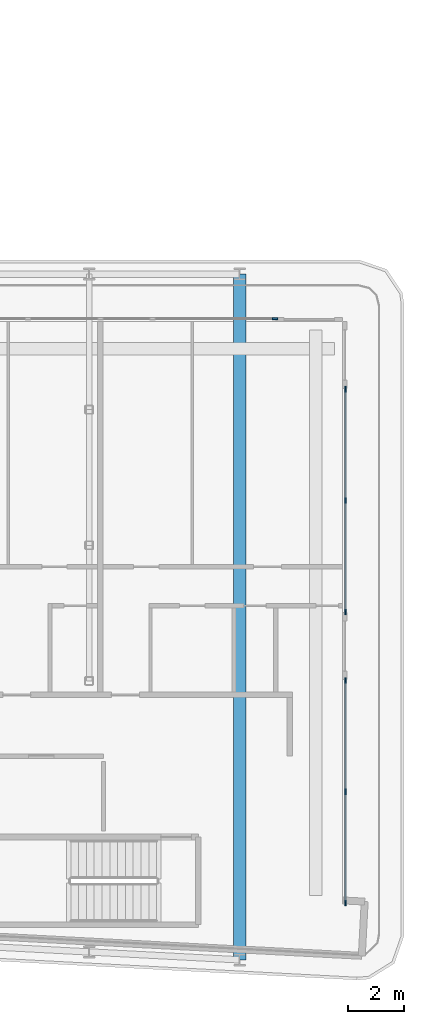
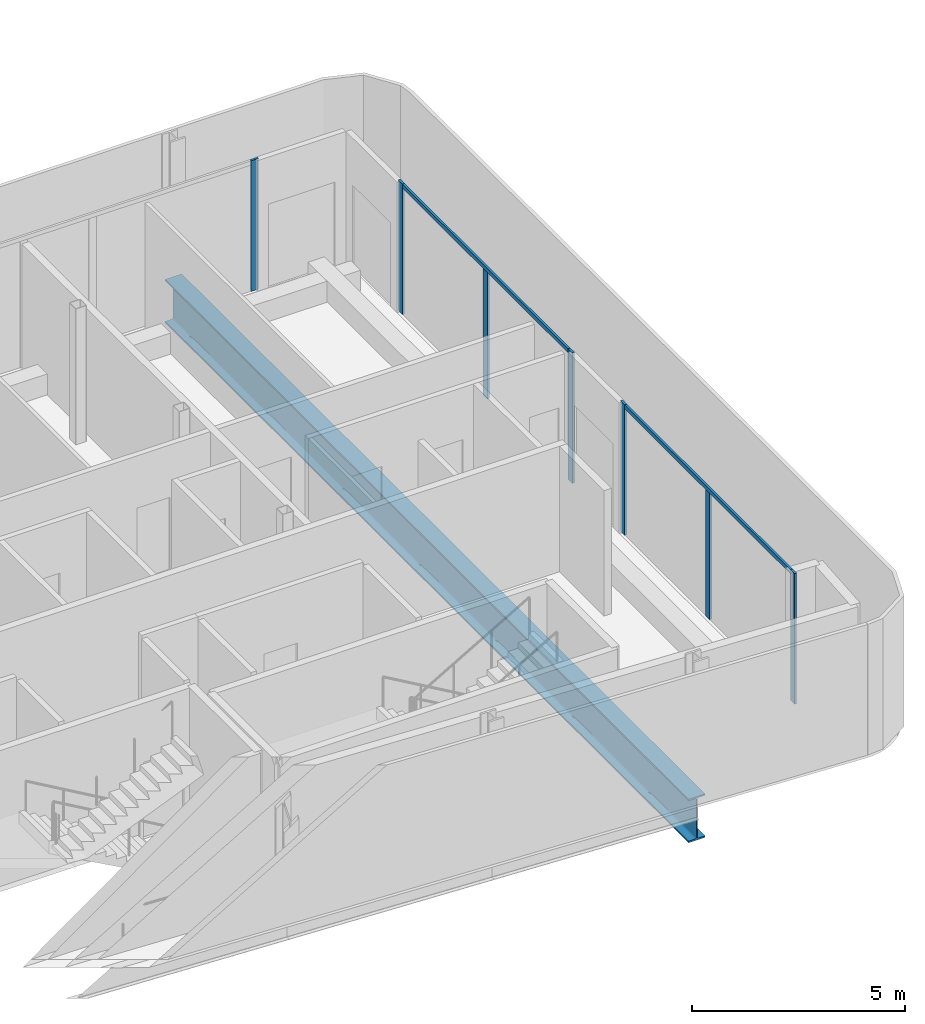
# One storey, part 10 of 29: 9 members, 1 beam, 3 elements without a shape of their own.
"""IFC4 building model written with IfcOpenShell, lengths in metres."""

import ifcopenshell
import ifcopenshell.guid

model = None  # the IFC model being written
_history = None  # IfcOwnerHistory: only IFC2X3 demands one
_inside = {}  # id of a spatial element -> (the spatial element, [elements in it])
_under = {}  # id of a project, library or spatial element -> (it, [spatial elements below it])
_declared = {}  # id of a project -> (the project, [libraries it declares])
_typed = {}  # id of a type object -> (the type object, [elements of that type])
_made_of = {}  # id of a material, layer set ... -> (it, [elements and type objects made of it])


def new_model(schema):
    """Start an empty IFC model of exactly this schema.

    Asked for "IFC4X3", IfcOpenShell would pick the latest addendum, in which some entities
    have other attributes; the version numbers below select the first issue.
    IFC2X3 requires an IfcOwnerHistory on every rooted entity: one is made here for all.
    """
    global model, _history
    if schema == "IFC4X3":
        model = ifcopenshell.file(schema_version=(4, 3, 0, 0))
    else:
        model = ifcopenshell.file(schema=schema)
    _inside.clear()
    _under.clear()
    _declared.clear()
    _typed.clear()
    _made_of.clear()
    _history = None
    if model.schema == "IFC2X3":
        org = make("IfcOrganization", Name="unknown")
        user = make(
            "IfcPersonAndOrganization",
            ThePerson=make("IfcPerson", FamilyName="unknown"),
            TheOrganization=org,
        )
        app = make(
            "IfcApplication",
            ApplicationDeveloper=org,
            Version="unknown",
            ApplicationFullName="unknown",
            ApplicationIdentifier="unknown",
        )
        _history = make(
            "IfcOwnerHistory",
            OwningUser=user,
            OwningApplication=app,
            ChangeAction="ADDED",
            CreationDate=0,
        )
    return model


def make(cls, **values):
    """One entity of the class cls with the attributes given. An attribute that is None is left unset."""
    return model.create_entity(
        cls, **{name: value for name, value in values.items() if value is not None}
    )


def rooted(cls, **values):
    """An entity with a GlobalId (a new one), such as an element, a storey or a relation."""
    return make(cls, GlobalId=ifcopenshell.guid.new(), OwnerHistory=_history, **values)


def si_unit(unit_type, name, prefix=None):
    """IfcSIUnit, for example si_unit("LENGTHUNIT", "METRE", prefix="MILLI")."""
    return make("IfcSIUnit", UnitType=unit_type, Prefix=prefix, Name=name)


def assignment(units):
    """IfcUnitAssignment: the units of a project."""
    return None if units is None else make("IfcUnitAssignment", Units=units)


def point(xyz):
    """IfcCartesianPoint."""
    return None if xyz is None else make("IfcCartesianPoint", Coordinates=xyz)


def direction(xyz):
    """IfcDirection."""
    return None if xyz is None else make("IfcDirection", DirectionRatios=xyz)


def frame(location, z_axis=None, x_axis=None):
    """IfcAxis2Placement3D, a coordinate frame: its origin and axes. An axis left out is left unset."""
    return make(
        "IfcAxis2Placement3D",
        Location=point(location),
        Axis=direction(z_axis),
        RefDirection=direction(x_axis),
    )


def frame_2d(location, x_axis=None):
    """IfcAxis2Placement2D, a coordinate frame in the plane: its origin and x axis."""
    return make(
        "IfcAxis2Placement2D", Location=point(location), RefDirection=direction(x_axis)
    )


def origin():
    """The frame at (0, 0, 0) with its axes left unset."""
    return frame((0.0, 0.0, 0.0))


def origin_2d():
    """The frame at (0, 0) in the plane with its x axis left unset."""
    return frame_2d((0.0, 0.0))


def place(relative_to, where):
    """IfcLocalPlacement: puts the frame where relative to a parent placement (None: the world)."""
    return make(
        "IfcLocalPlacement", PlacementRelTo=relative_to, RelativePlacement=where
    )


def context(
    kind, dimensions, precision=None, world=None, true_north=None, identifier=None
):
    """IfcGeometricRepresentationContext, for example the 3D "Model" context."""
    return make(
        "IfcGeometricRepresentationContext",
        ContextIdentifier=identifier,
        ContextType=kind,
        CoordinateSpaceDimension=dimensions,
        Precision=precision,
        WorldCoordinateSystem=world,
        TrueNorth=true_north,
    )


def subcontext(parent, identifier, kind, view, scale=None):
    """IfcGeometricRepresentationSubContext, for example "Body" below "Model"."""
    return make(
        "IfcGeometricRepresentationSubContext",
        ContextIdentifier=identifier,
        ContextType=kind,
        ParentContext=parent,
        TargetScale=scale,
        TargetView=view,
    )


def project(units=None, contexts=None):
    """IfcProject with its units and contexts."""
    return rooted(
        "IfcProject",
        Name="project",
        RepresentationContexts=contexts,
        UnitsInContext=assignment(units),
    )


def spatial(cls, under=None, at=None, **own):
    """A site, building, storey or space (cls), placed at a placement, below another one or the project."""
    s = rooted(cls, ObjectPlacement=at, **own)
    if under is not None:
        _under.setdefault(under.id(), (under, []))[1].append(s)
    return s


def profile(cls, at=None, kind="AREA", **sizes):
    """A parametric profile (cls). Its sizes go by their IFC names, for example OverallWidth=200.0."""
    return make(cls, ProfileType=kind, Position=at, **sizes)


def rectangle(**sizes):
    """IfcRectangleProfileDef."""
    return profile("IfcRectangleProfileDef", **sizes)


def i_section(**sizes):
    """IfcIShapeProfileDef."""
    return profile("IfcIShapeProfileDef", **sizes)


def extrude(swept, where, along, depth):
    """IfcExtrudedAreaSolid: the profile swept, set in the frame where, extruded along a direction by depth."""
    return make(
        "IfcExtrudedAreaSolid",
        SweptArea=swept,
        Position=where,
        ExtrudedDirection=direction(along),
        Depth=depth,
    )


def shape(context_of_items, identifier, shape_type, items):
    """IfcShapeRepresentation: the items that make up one representation, for example the "Body"."""
    return make(
        "IfcShapeRepresentation",
        ContextOfItems=context_of_items,
        RepresentationIdentifier=identifier,
        RepresentationType=shape_type,
        Items=items,
    )


def material(Name=None, Category=None):
    """IfcMaterial."""
    return make("IfcMaterial", Name=Name, Category=Category)


def layer(
    of_material, thickness, ventilated=None, Name=None, Category=None, Priority=None
):
    """IfcMaterialLayer: one layer of a wall or slab, of a material (None: an air gap)."""
    return make(
        "IfcMaterialLayer",
        Material=of_material,
        LayerThickness=thickness,
        IsVentilated=ventilated,
        Name=Name,
        Category=Category,
        Priority=Priority,
    )


def layer_set(layers, Name=None):
    """IfcMaterialLayerSet."""
    return make("IfcMaterialLayerSet", MaterialLayers=layers, LayerSetName=Name)


def material_profile(
    of_material, cross_section, Name=None, Category=None, Priority=None
):
    """IfcMaterialProfile: a cross section and its material."""
    return make(
        "IfcMaterialProfile",
        Name=Name,
        Material=of_material,
        Profile=cross_section,
        Priority=Priority,
        Category=Category,
    )


def profile_set(profiles, Name=None, composite=None):
    """IfcMaterialProfileSet."""
    return make(
        "IfcMaterialProfileSet",
        Name=Name,
        MaterialProfiles=profiles,
        CompositeProfile=composite,
    )


def made_of(thing, what):
    """Note that an element or type object is made of a material, layer set ...; save() writes the relation."""
    if what is not None:
        _made_of.setdefault(what.id(), (what, []))[1].append(thing)
    return thing


def type_object(cls, material=None, **own):
    """A type object (cls), such as IfcWallType, which elements share."""
    return made_of(rooted(cls, **own), material)


def element(
    cls,
    number,
    at=None,
    inside=None,
    cuts=None,
    type_object=None,
    material=None,
    context=None,
    identifier="Body",
    shape_type=None,
    held_by="IfcProductDefinitionShape",
    body=None,
    shapes=None,
    **own,
):
    """One element of the class cls, such as IfcWall. Its Tag is "e" and its number.

    at: its placement. inside: the storey or other place that contains it. cuts: it is an
    opening in that element (IfcRelVoidsElement). A single representation is given by context,
    identifier, shape_type and body (its items); several are given by shapes. held_by: the class
    of the entity that holds the representations. save() writes the other relations.
    """
    e = rooted(cls, Tag="e%d" % number, ObjectPlacement=at, **own)
    if body is not None:
        shapes = [shape(context, identifier, shape_type, body)]
    if shapes is not None:
        e.Representation = make(held_by, Representations=shapes)
    if inside is not None:
        _inside.setdefault(inside.id(), (inside, []))[1].append(e)
    if cuts is not None:
        rooted(
            "IfcRelVoidsElement", RelatingBuildingElement=cuts, RelatedOpeningElement=e
        )
    if type_object is not None:
        _typed.setdefault(type_object.id(), (type_object, []))[1].append(e)
    return made_of(e, material)


def aggregate(whole, parts):
    """IfcRelAggregates: a whole, such as a stair, and the parts it consists of."""
    return rooted("IfcRelAggregates", RelatingObject=whole, RelatedObjects=parts)


def save(model, path):
    """Write the relations noted so far, then the file.

    IfcRelAggregates (storeys below a building ...), IfcRelContainedInSpatialStructure (elements
    in a storey), IfcRelDefinesByType, IfcRelAssociatesMaterial and IfcRelDeclares: one each for
    every whole, place, type object, material and project.
    """
    for whole, parts in _under.values():
        aggregate(whole, parts)
    for where, things in _inside.values():
        rooted(
            "IfcRelContainedInSpatialStructure",
            RelatedElements=things,
            RelatingStructure=where,
        )
    for kind, things in _typed.values():
        rooted("IfcRelDefinesByType", RelatedObjects=things, RelatingType=kind)
    for what, things in _made_of.values():
        rooted("IfcRelAssociatesMaterial", RelatedObjects=things, RelatingMaterial=what)
    for by, libraries in _declared.values():
        rooted("IfcRelDeclares", RelatingContext=by, RelatedDefinitions=libraries)
    model.write(path)


model = new_model("IFC4")

# Units and contexts
model_context = context("Model", 3, precision=1e-05, world=origin(), true_north=direction((0.0, 1.0)))
body_context = subcontext(model_context, "Body", "Model", "MODEL_VIEW")
ifc_project = project(units=[si_unit("LENGTHUNIT", "METRE"), si_unit("AREAUNIT", "SQUARE_METRE"), si_unit("VOLUMEUNIT", "CUBIC_METRE"), si_unit("PLANEANGLEUNIT", "RADIAN"), si_unit("MASSUNIT", "GRAM", prefix="KILO")], contexts=[model_context])

# Site, building, storey
site_placement = place(None, origin())
site = spatial("IfcSite", under=ifc_project, at=site_placement, CompositionType="ELEMENT")
building_placement = place(site_placement, origin())
building = spatial("IfcBuilding", under=site, at=building_placement, Name="Kheshtan School and Residences Tower", CompositionType="ELEMENT")
storey_placement = place(building_placement, frame((0.0, 0.0, 172.10009765625)))
storey = spatial("IfcBuildingStorey", under=building, at=storey_placement, Name="L40", CompositionType="ELEMENT", Elevation=172.10009765625)

# Curtain wall, member
ifc_material_1 = material(Name="Clear low-e glass in thermally broken aluminium frame", Category="aluminium")
ifc_layer = layer(ifc_material_1, 0.199951171875)
ifc_layer_set = layer_set([ifc_layer], Name="Curtain wall CW-L")
curtain_wall_type = type_object("IfcCurtainWallType", Name="Curtain wall CW-L", PredefinedType="NOTDEFINED", material=ifc_layer_set)
curtain_wall_1_placement = place(storey_placement, origin())
curtain_wall_1 = element("IfcCurtainWall", 1, at=curtain_wall_1_placement, inside=storey, type_object=curtain_wall_type, Name="Curtain wall CWL12y", PredefinedType="NOTDEFINED")
ifc_material_2 = material(Name="Thermally broken aluminium, dark bronze anodised", Category="aluminium")
ifc_material_profile_1 = material_profile(ifc_material_2, rectangle(XDim=0.06005859375, YDim=0.199951171875, at=origin_2d()), Name="CW-L mullion 60x200")
ifc_profile_set_1 = profile_set([ifc_material_profile_1], Name="Thermally broken aluminium, dark bronze anodised")
member_type_1 = type_object("IfcMemberType", Name="CW-L mullion 60x200", PredefinedType="MULLION", material=ifc_profile_set_1)
member_1_placement = place(storey_placement, frame((92.070068359375, 44.0, 0.0), z_axis=(0.0, 0.0, 1.0), x_axis=(0.0, 1.0, 0.0)))
member_1 = element("IfcMember", 2, at=member_1_placement, type_object=member_type_1, Name="CWL12y mullion 4", PredefinedType="MULLION", context=body_context, shape_type="SweptSolid", body=[
    extrude(rectangle(XDim=0.06005859375, YDim=0.199951171875, at=origin_2d()), origin(), (0.0, 0.0, 1.0), 3.75),
])
aggregate(curtain_wall_1, [member_1])

# Curtain wall, members
curtain_wall_2_placement = place(storey_placement, origin())
curtain_wall_2 = element("IfcCurtainWall", 3, at=curtain_wall_2_placement, inside=storey, type_object=curtain_wall_type, Name="Curtain wall CWL13a", PredefinedType="NOTDEFINED")
member_2_placement = place(storey_placement, frame((94.60009765625, 41.469970703125, 0.0), z_axis=(0.0, 0.0, 1.0), x_axis=(1.0, 0.0, 0.0)))
member_2 = element("IfcMember", 4, at=member_2_placement, type_object=member_type_1, Name="CWL13a mullion 1", PredefinedType="MULLION", context=body_context, shape_type="SweptSolid", body=[
    extrude(rectangle(XDim=0.06005859375, YDim=0.199951171875, at=origin_2d()), origin(), (0.0, 0.0, 1.0), 3.75),
])
member_3_placement = place(storey_placement, frame((94.60009765625, 37.474609375, 0.0), z_axis=(0.0, 0.0, 1.0), x_axis=(1.0, 0.0, 0.0)))
member_3 = element("IfcMember", 5, at=member_3_placement, type_object=member_type_1, Name="CWL13a mullion 2", PredefinedType="MULLION", context=body_context, shape_type="SweptSolid", body=[
    extrude(rectangle(XDim=0.06005859375, YDim=0.199951171875, at=origin_2d()), origin(), (0.0, 0.0, 1.0), 3.6298828125),
])
member_4_placement = place(storey_placement, frame((94.60009765625, 33.47900390625, 0.0), z_axis=(0.0, 0.0, 1.0), x_axis=(1.0, 0.0, 0.0)))
member_4 = element("IfcMember", 6, at=member_4_placement, type_object=member_type_1, Name="CWL13a mullion 3", PredefinedType="MULLION", context=body_context, shape_type="SweptSolid", body=[
    extrude(rectangle(XDim=0.06005859375, YDim=0.199951171875, at=origin_2d()), origin(), (0.0, 0.0, 1.0), 3.75),
])

curtain_wall_3_placement = place(storey_placement, origin())
curtain_wall_3 = element("IfcCurtainWall", 7, at=curtain_wall_3_placement, inside=storey, type_object=curtain_wall_type, Name="Curtain wall CWL13a", PredefinedType="NOTDEFINED")
member_5_placement = place(storey_placement, frame((94.60009765625, 31.01904296875, 0.0), z_axis=(0.0, 0.0, 1.0), x_axis=(1.0, 0.0, 0.0)))
member_5 = element("IfcMember", 8, at=member_5_placement, type_object=member_type_1, Name="CWL13a mullion 1", PredefinedType="MULLION", context=body_context, shape_type="SweptSolid", body=[
    extrude(rectangle(XDim=0.06005859375, YDim=0.199951171875, at=origin_2d()), origin(), (0.0, 0.0, 1.0), 3.75),
])
member_6_placement = place(storey_placement, frame((94.60009765625, 27.0234375, 0.0), z_axis=(0.0, 0.0, 1.0), x_axis=(1.0, 0.0, 0.0)))
member_6 = element("IfcMember", 9, at=member_6_placement, type_object=member_type_1, Name="CWL13a mullion 2", PredefinedType="MULLION", context=body_context, shape_type="SweptSolid", body=[
    extrude(rectangle(XDim=0.06005859375, YDim=0.199951171875, at=origin_2d()), origin(), (0.0, 0.0, 1.0), 3.6298828125),
])
member_7_placement = place(storey_placement, frame((94.60009765625, 23.028076171875, 0.0), z_axis=(0.0, 0.0, 1.0), x_axis=(1.0, 0.0, 0.0)))
member_7 = element("IfcMember", 10, at=member_7_placement, type_object=member_type_1, Name="CWL13a mullion 3", PredefinedType="MULLION", context=body_context, shape_type="SweptSolid", body=[
    extrude(rectangle(XDim=0.06005859375, YDim=0.199951171875, at=origin_2d()), origin(), (0.0, 0.0, 1.0), 3.75),
])

# Member
ifc_material_profile_2 = material_profile(ifc_material_2, rectangle(XDim=0.06005859375, YDim=0.1201171875, at=origin_2d()), Name="CW-L transom 60x120")
ifc_profile_set_2 = profile_set([ifc_material_profile_2], Name="Thermally broken aluminium, dark bronze anodised")
member_type_2 = type_object("IfcMemberType", Name="CW-L transom 60x120", PredefinedType="USERDEFINED", material=ifc_profile_set_2)
member_8_placement = place(storey_placement, frame((94.60009765625, 41.43994140625, 3.68994140625), z_axis=(0.0, -1.0, 0.0), x_axis=(1.0, 0.0, 0.0)))
member_8 = element("IfcMember", 11, at=member_8_placement, type_object=member_type_2, Name="CWL13a transom 1", ObjectType="TRANSOM", PredefinedType="USERDEFINED", context=body_context, shape_type="SweptSolid", body=[
    extrude(rectangle(XDim=0.06005859375, YDim=0.1201171875, at=origin_2d()), origin(), (0.0, 0.0, 1.0), 7.930908203125),
])

aggregate(curtain_wall_2, [member_2, member_3, member_4, member_8])

member_9_placement = place(storey_placement, frame((94.60009765625, 30.989013671875, 3.68994140625), z_axis=(0.0, -1.0, 0.0), x_axis=(1.0, 0.0, 0.0)))
member_9 = element("IfcMember", 12, at=member_9_placement, type_object=member_type_2, Name="CWL13a transom 1", ObjectType="TRANSOM", PredefinedType="USERDEFINED", context=body_context, shape_type="SweptSolid", body=[
    extrude(rectangle(XDim=0.06005859375, YDim=0.1201171875, at=origin_2d()), origin(), (0.0, 0.0, 1.0), 7.930908203125),
])

aggregate(curtain_wall_3, [member_5, member_6, member_7, member_9])

# Beam
ifc_material_3 = material(Name="Steel ASTM A992 Grade 50", Category="steel")
ifc_material_profile_3 = material_profile(ifc_material_3, i_section(OverallWidth=0.449951171875, OverallDepth=1.25, WebThickness=0.02490234375, FlangeThickness=0.044921875, FilletRadius=0.03759765625, at=origin_2d()), Name="WWF1250x546")
ifc_profile_set_3 = profile_set([ifc_material_profile_3], Name="Steel ASTM A992 Grade 50")
beam_type = type_object("IfcBeamType", Name="Transfer girder TG4 WWF1250x546 ASTM A992 Grade 50", PredefinedType="BEAM", material=ifc_profile_set_3)
beam_placement = place(storey_placement, frame((90.800048828125, 45.60009765625, -0.775146484375), z_axis=(0.0, -1.0, 0.0), x_axis=(1.0, 0.0, 0.0)))
element("IfcBeam", 13, at=beam_placement, inside=storey, type_object=beam_type, Name="Transfer girder C068-C006", PredefinedType="BEAM", context=body_context, shape_type="SweptSolid", body=[
    extrude(i_section(OverallWidth=0.449951171875, OverallDepth=1.25, WebThickness=0.02490234375, FlangeThickness=0.044921875, FilletRadius=0.03759765625, at=origin_2d()), origin(), (0.0, 0.0, 1.0), 24.610107421875),
])

save(model, "model.ifc")
